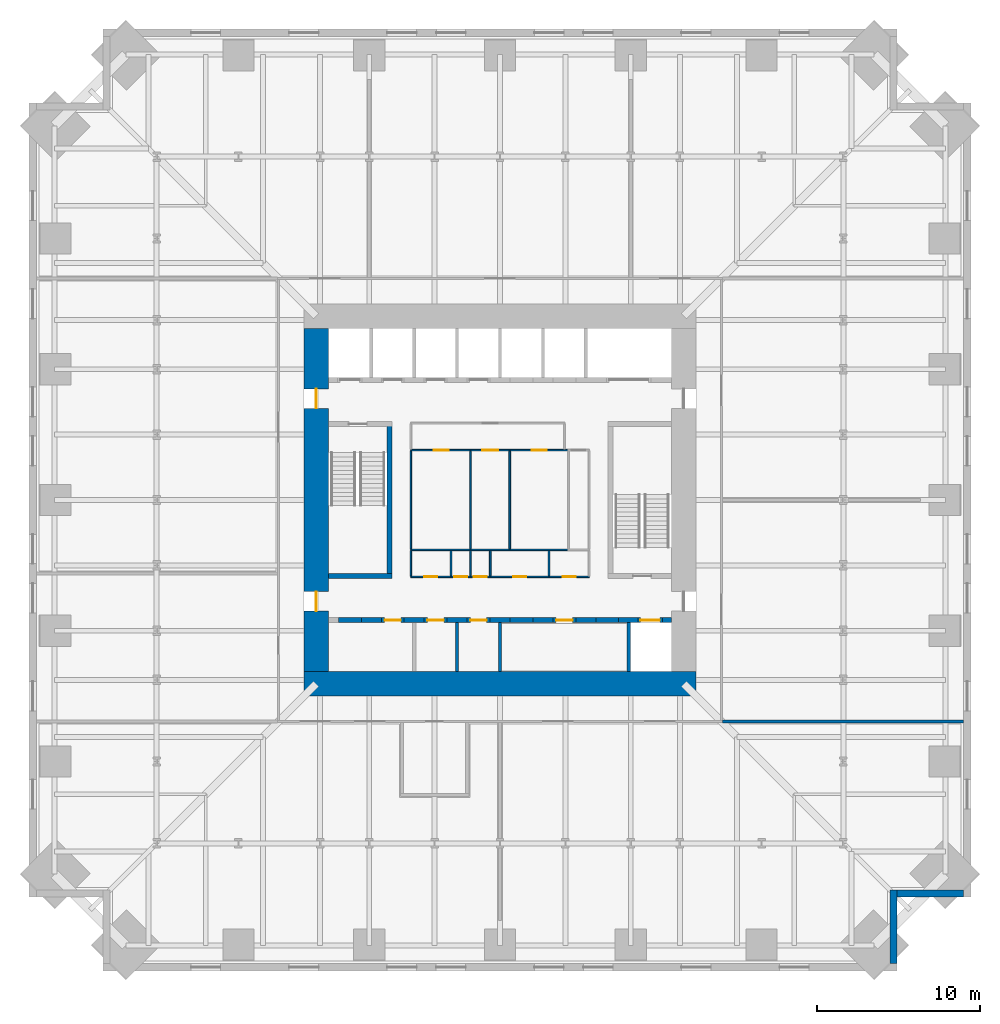
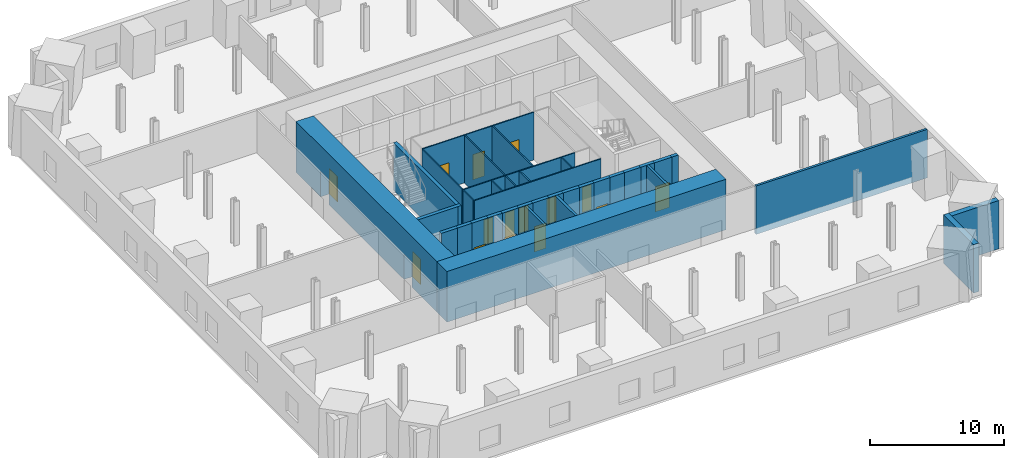
# One storey, part 4 of 8: 37 walls, 15 doors, 15 openings.
"""IFC4 building model written with IfcOpenShell, lengths in metres."""

from ifc_helpers import new_model, si_unit, direction, frame, frame_2d, origin, place, context, subcontext, project, spatial, rectangle, extrude, material, layer, layer_set, type_object, element, fill, save


model = new_model("IFC4")

# Units and contexts
model_context = context("Model", 3, precision=1e-05, world=origin(), true_north=direction((0.0, 1.0)))
body_context = subcontext(model_context, "Body", "Model", "MODEL_VIEW")
ifc_project = project(units=[si_unit("LENGTHUNIT", "METRE"), si_unit("AREAUNIT", "SQUARE_METRE"), si_unit("VOLUMEUNIT", "CUBIC_METRE"), si_unit("PLANEANGLEUNIT", "RADIAN"), si_unit("MASSUNIT", "GRAM", prefix="KILO")], contexts=[model_context])

# Site, building, storey
site_placement = place(None, origin())
site = spatial("IfcSite", under=ifc_project, at=site_placement, CompositionType="ELEMENT")
building_placement = place(site_placement, origin())
building = spatial("IfcBuilding", under=site, at=building_placement, Name="Peilmerk Tower", CompositionType="ELEMENT")
storey_placement = place(building_placement, frame((0.0, 0.0, 90.60009765625)))
storey = spatial("IfcBuildingStorey", under=building, at=storey_placement, Name="L17", CompositionType="ELEMENT", Elevation=90.60009765625)

# Walls
ifc_material_1 = material(Name="Precast concrete C45/55, board-marked finish", Category="concrete")
ifc_layer_1 = layer(ifc_material_1, 0.449951171875)
ifc_layer_set_1 = layer_set([ifc_layer_1], Name="Precast concrete C45/55, board-marked finish")
wall_type_1 = type_object("IfcWallType", Name="EW1 450 precast concrete facade wall, board-marked", PredefinedType="SOLIDWALL", material=ifc_layer_set_1)
wall_1_placement = place(storey_placement, frame((24.074951171875, -23.85009765625, 0.0), z_axis=(0.0, 0.0, 1.0), x_axis=(0.0, -1.0, 0.0)))
element("IfcWall", 1, at=wall_1_placement, inside=storey, type_object=wall_type_1, Name="Facade wall SEA L17", PredefinedType="SOLIDWALL", context=body_context, shape_type="SweptSolid", body=[
    extrude(rectangle(XDim=4.5, YDim=0.449951171875, at=frame_2d((2.25, 0.0))), origin(), (0.0, 0.0, 1.0), 4.39990234375),
])
wall_2_placement = place(storey_placement, frame((24.300048828125, -24.074951171875, 0.0), z_axis=(0.0, 0.0, 1.0), x_axis=(1.0, 0.0, 0.0)))
element("IfcWall", 2, at=wall_2_placement, inside=storey, type_object=wall_type_1, Name="Facade wall SEB L17", PredefinedType="SOLIDWALL", context=body_context, shape_type="SweptSolid", body=[
    extrude(rectangle(XDim=4.050048828125, YDim=0.449951171875, at=frame_2d((2.02490234375, 0.0))), origin(), (0.0, 0.0, 1.0), 4.39990234375),
])
ifc_material_2 = material(Name="Calcium silicate block", Category="masonry")
ifc_layer_2 = layer(ifc_material_2, 0.199951171875)
ifc_layer_set_2 = layer_set([ifc_layer_2], Name="Calcium silicate block")
wall_type_2 = type_object("IfcWallType", Name="IW2 200 room separating wall, EI 120", PredefinedType="PARTITIONING", material=ifc_layer_set_2)
wall_3_placement = place(storey_placement, frame((28.35009765625, -13.550048828125, 0.0), z_axis=(0.0, 0.0, 1.0), x_axis=(-1.0, 0.0, 0.0)))
element("IfcWall", 3, at=wall_3_placement, inside=storey, type_object=wall_type_2, Name="Room separating wall SE L17", PredefinedType="PARTITIONING", context=body_context, shape_type="SweptSolid", body=[
    extrude(rectangle(XDim=14.72509765625, YDim=0.199951171875, at=frame_2d((7.362548828125, 0.0))), origin(), (0.0, 0.0, 1.0), 4.39990234375),
])
ifc_material_3 = material(Name="Concrete C35/45", Category="concrete")
ifc_layer_3 = layer(ifc_material_3, 0.300048828125)
ifc_layer_set_3 = layer_set([ifc_layer_3], Name="Concrete C35/45")
wall_type_3 = type_object("IfcWallType", Name="IW3 300 concrete stair enclosure wall, EI 120", PredefinedType="SOLIDWALL", material=ifc_layer_set_3)
wall_4_placement = place(storey_placement, frame((-6.75, -4.800048828125, 0.0), z_axis=(0.0, 0.0, 1.0), x_axis=(0.0, 1.0, 0.0)))
element("IfcWall", 4, at=wall_4_placement, inside=storey, type_object=wall_type_3, Name="Stair 1 enclosure L17", PredefinedType="SOLIDWALL", context=body_context, shape_type="SweptSolid", body=[
    extrude(rectangle(XDim=9.60009765625, YDim=0.300048828125, at=frame_2d((4.800048828125, 0.0))), origin(), (0.0, 0.0, 1.0), 4.349853515625),
])
wall_5_placement = place(storey_placement, frame((-6.60009765625, -4.64990234375, 0.0), z_axis=(0.0, 0.0, 1.0), x_axis=(-1.0, 0.0, 0.0)))
element("IfcWall", 5, at=wall_5_placement, inside=storey, type_object=wall_type_3, Name="Stair 1 enclosure L17", PredefinedType="SOLIDWALL", context=body_context, shape_type="SweptSolid", body=[
    extrude(rectangle(XDim=3.89990234375, YDim=0.300048828125, at=frame_2d((1.949951171875, 0.0))), origin(), (0.0, 0.0, 1.0), 4.349853515625),
])

# Wall, openings, doors
ifc_material_4 = material(Name="Plasterboard on steel studs", Category="steel")
ifc_layer_4 = layer(ifc_material_4, 0.10009765625)
ifc_layer_set_4 = layer_set([ifc_layer_4], Name="Plasterboard on steel studs")
wall_type_4 = type_object("IfcWallType", Name="IW4 100 WC partition", PredefinedType="PARTITIONING", material=ifc_layer_set_4)
wall_6_placement = place(storey_placement, frame((-5.449951171875, 3.050048828125, 0.0), z_axis=(0.0, 0.0, 1.0), x_axis=(1.0, 0.0, 0.0)))
wall_6 = element("IfcWall", 6, at=wall_6_placement, inside=storey, type_object=wall_type_4, Name="WC wall L17", PredefinedType="PARTITIONING", context=body_context, shape_type="SweptSolid", body=[
    extrude(rectangle(XDim=9.599853515625, YDim=0.10009765625, at=frame_2d((4.7998046875, 0.0))), origin(), (0.0, 0.0, 1.0), 4.349853515625),
])
opening_1_placement = place(wall_6_placement, frame((1.39990234375, 0.0, 0.0)))
opening_1 = element("IfcOpeningElement", 7, at=opening_1_placement, cuts=wall_6, Name="Opening D5", PredefinedType="OPENING", context=body_context, shape_type="SweptSolid", body=[
    extrude(rectangle(XDim=0.89990234375, YDim=2.300048828125, at=frame_2d((0.449951171875, 1.14990234375))), frame((0.0, 0.06005859375, 0.0), z_axis=(0.0, -1.0, 0.0), x_axis=(1.0, 0.0, 0.0)), (0.0, 0.0, 1.0), 0.1201171875),
])
opening_2_placement = place(wall_6_placement, frame((4.35009765625, 0.0, 0.0)))
opening_2 = element("IfcOpeningElement", 8, at=opening_2_placement, cuts=wall_6, Name="Opening D6", PredefinedType="OPENING", context=body_context, shape_type="SweptSolid", body=[
    extrude(rectangle(XDim=1.0, YDim=2.300048828125, at=frame_2d((0.5, 1.14990234375))), frame((0.0, 0.06005859375, 0.0), z_axis=(0.0, -1.0, 0.0), x_axis=(1.0, 0.0, 0.0)), (0.0, 0.0, 1.0), 0.1201171875),
])
opening_3_placement = place(wall_6_placement, frame((7.39990234375, 0.0, 0.0)))
opening_3 = element("IfcOpeningElement", 9, at=opening_3_placement, cuts=wall_6, Name="Opening D5", PredefinedType="OPENING", context=body_context, shape_type="SweptSolid", body=[
    extrude(rectangle(XDim=0.89990234375, YDim=2.300048828125, at=frame_2d((0.449951171875, 1.14990234375))), frame((0.0, 0.06005859375, 0.0), z_axis=(0.0, -1.0, 0.0), x_axis=(1.0, 0.0, 0.0)), (0.0, 0.0, 1.0), 0.1201171875),
])
ifc_material_5 = material(Name="Timber door in steel frame", Category="steel")
door_type_1 = type_object("IfcDoorType", Name="D5 900x2300 WC door", OperationType="SINGLE_SWING_LEFT", PredefinedType="DOOR", material=ifc_material_5)
door_1_placement = place(opening_1_placement, frame((0.89990234375, 0.0, 0.0), z_axis=(0.0, 0.0, 1.0), x_axis=(-1.0, 0.0, 0.0)))
door_1 = element("IfcDoor", 10, at=door_1_placement, inside=storey, type_object=door_type_1, Name="Female toilets door L17", OperationType="SINGLE_SWING_LEFT", OverallHeight=2.300048828125, OverallWidth=0.89990234375, PredefinedType="DOOR", context=body_context, shape_type="SweptSolid", body=[
    extrude(rectangle(XDim=0.89990234375, YDim=2.300048828125, at=frame_2d((0.449951171875, 1.14990234375))), frame((0.0, 0.02490234375, 0.0), z_axis=(0.0, -1.0, 0.0), x_axis=(1.0, 0.0, 0.0)), (0.0, 0.0, 1.0), 0.050048828125),
])
fill(opening_1, door_1)
door_2_placement = place(opening_3_placement, frame((0.89990234375, 0.0, 0.0), z_axis=(0.0, 0.0, 1.0), x_axis=(-1.0, 0.0, 0.0)))
door_2 = element("IfcDoor", 11, at=door_2_placement, inside=storey, type_object=door_type_1, Name="Male toilets door L17", OperationType="SINGLE_SWING_LEFT", OverallHeight=2.300048828125, OverallWidth=0.89990234375, PredefinedType="DOOR", context=body_context, shape_type="SweptSolid", body=[
    extrude(rectangle(XDim=0.89990234375, YDim=2.300048828125, at=frame_2d((0.449951171875, 1.14990234375))), frame((0.0, 0.02490234375, 0.0), z_axis=(0.0, -1.0, 0.0), x_axis=(1.0, 0.0, 0.0)), (0.0, 0.0, 1.0), 0.050048828125),
])
fill(opening_3, door_2)
door_type_2 = type_object("IfcDoorType", Name="D6 1000x2300 accessible WC door", OperationType="SLIDING_TO_LEFT", PredefinedType="DOOR", material=ifc_material_5)
door_3_placement = place(opening_2_placement, frame((1.0, 0.0, 0.0), z_axis=(0.0, 0.0, 1.0), x_axis=(-1.0, 0.0, 0.0)))
door_3 = element("IfcDoor", 12, at=door_3_placement, inside=storey, type_object=door_type_2, Name="Accessible WC door L17", OperationType="SLIDING_TO_LEFT", OverallHeight=2.300048828125, OverallWidth=1.0, PredefinedType="DOOR", context=body_context, shape_type="SweptSolid", body=[
    extrude(rectangle(XDim=1.0, YDim=2.300048828125, at=frame_2d((0.5, 1.14990234375))), frame((0.0, 0.02490234375, 0.0), z_axis=(0.0, -1.0, 0.0), x_axis=(1.0, 0.0, 0.0)), (0.0, 0.0, 1.0), 0.050048828125),
])
fill(opening_2, door_3)

# Walls
wall_7_placement = place(storey_placement, frame((4.14990234375, -3.050048828125, 0.0), z_axis=(0.0, 0.0, 1.0), x_axis=(-1.0, 0.0, 0.0)))
element("IfcWall", 13, at=wall_7_placement, inside=storey, type_object=wall_type_4, Name="WC wall L17", PredefinedType="PARTITIONING", context=body_context, shape_type="SweptSolid", body=[
    extrude(rectangle(XDim=9.599853515625, YDim=0.10009765625, at=frame_2d((4.7998046875, 0.0))), origin(), (0.0, 0.0, 1.0), 4.349853515625),
])
for number, where, z_axis, x_axis, name in (
    (14, (-5.449951171875, -3.0, 0.0), (0.0, 0.0, 1.0), (0.0, 1.0, 0.0), "WC wall L17"),
    (15, (-1.800048828125, -3.0, 0.0), (0.0, 0.0, 1.0), (0.0, 1.0, 0.0), "WC wall L17"),
    (16, (0.60009765625, -3.0, 0.0), (0.0, 0.0, 1.0), (0.0, 1.0, 0.0), "WC wall L17"),
):
    element("IfcWall", number, at=place(storey_placement, frame(where, z_axis=z_axis, x_axis=x_axis)), inside=storey, type_object=wall_type_4, Name=name, PredefinedType="PARTITIONING", context=body_context, shape_type="SweptSolid", body=[
        extrude(rectangle(XDim=6.0, YDim=0.10009765625, at=frame_2d((3.0, 0.0))), origin(), (0.0, 0.0, 1.0), 4.349853515625),
    ])

# Wall, openings, doors
ifc_material_6 = material(Name="Calcium silicate board on steel studs", Category="steel")
ifc_layer_5 = layer(ifc_material_6, 0.10009765625)
ifc_layer_set_5 = layer_set([ifc_layer_5], Name="Calcium silicate board on steel studs")
wall_type_5 = type_object("IfcWallType", Name="IW5 100 riser enclosure wall, EI 60", PredefinedType="PARTITIONING", material=ifc_layer_set_5)
wall_8_placement = place(storey_placement, frame((5.449951171875, -4.699951171875, 0.0), z_axis=(0.0, 0.0, 1.0), x_axis=(-1.0, 0.0, 0.0)))
wall_8 = element("IfcWall", 17, at=wall_8_placement, inside=storey, type_object=wall_type_5, Name="Riser wall L17", PredefinedType="PARTITIONING", context=body_context, shape_type="SweptSolid", body=[
    extrude(rectangle(XDim=10.89990234375, YDim=0.10009765625, at=frame_2d((5.449951171875, 0.0))), origin(), (0.0, 0.0, 1.0), 4.349853515625),
])
opening_4_placement = place(wall_8_placement, frame((9.27490234375, 0.0, 0.0)))
opening_4 = element("IfcOpeningElement", 18, at=opening_4_placement, cuts=wall_8, Name="Opening D7", PredefinedType="OPENING", context=body_context, shape_type="SweptSolid", body=[
    extrude(rectangle(XDim=0.800048828125, YDim=2.300048828125, at=frame_2d((0.39990234375, 1.14990234375))), frame((0.0, 0.06005859375, 0.0), z_axis=(0.0, -1.0, 0.0), x_axis=(1.0, 0.0, 0.0)), (0.0, 0.0, 1.0), 0.1201171875),
])
opening_5_placement = place(wall_8_placement, frame((7.449951171875, 0.0, 0.0)))
opening_5 = element("IfcOpeningElement", 19, at=opening_5_placement, cuts=wall_8, Name="Opening D7", PredefinedType="OPENING", context=body_context, shape_type="SweptSolid", body=[
    extrude(rectangle(XDim=0.800048828125, YDim=2.300048828125, at=frame_2d((0.39990234375, 1.14990234375))), frame((0.0, 0.06005859375, 0.0), z_axis=(0.0, -1.0, 0.0), x_axis=(1.0, 0.0, 0.0)), (0.0, 0.0, 1.0), 0.1201171875),
])
opening_6_placement = place(wall_8_placement, frame((6.25, 0.0, 0.0)))
opening_6 = element("IfcOpeningElement", 20, at=opening_6_placement, cuts=wall_8, Name="Opening D7", PredefinedType="OPENING", context=body_context, shape_type="SweptSolid", body=[
    extrude(rectangle(XDim=0.800048828125, YDim=2.300048828125, at=frame_2d((0.39990234375, 1.14990234375))), frame((0.0, 0.06005859375, 0.0), z_axis=(0.0, -1.0, 0.0), x_axis=(1.0, 0.0, 0.0)), (0.0, 0.0, 1.0), 0.1201171875),
])
opening_7_placement = place(wall_8_placement, frame((3.85009765625, 0.0, 0.0)))
opening_7 = element("IfcOpeningElement", 21, at=opening_7_placement, cuts=wall_8, Name="Opening D7", PredefinedType="OPENING", context=body_context, shape_type="SweptSolid", body=[
    extrude(rectangle(XDim=0.800048828125, YDim=2.300048828125, at=frame_2d((0.39990234375, 1.14990234375))), frame((0.0, 0.06005859375, 0.0), z_axis=(0.0, -1.0, 0.0), x_axis=(1.0, 0.0, 0.0)), (0.0, 0.0, 1.0), 0.1201171875),
])
opening_8_placement = place(wall_8_placement, frame((0.824951171875, 0.0, 0.0)))
opening_8 = element("IfcOpeningElement", 22, at=opening_8_placement, cuts=wall_8, Name="Opening D7", PredefinedType="OPENING", context=body_context, shape_type="SweptSolid", body=[
    extrude(rectangle(XDim=0.800048828125, YDim=2.300048828125, at=frame_2d((0.39990234375, 1.14990234375))), frame((0.0, 0.06005859375, 0.0), z_axis=(0.0, -1.0, 0.0), x_axis=(1.0, 0.0, 0.0)), (0.0, 0.0, 1.0), 0.1201171875),
])
ifc_material_7 = material(Name="Steel door in steel frame", Category="steel")
door_type_3 = type_object("IfcDoorType", Name="D7 800x2300 riser access door, EI2 60", OperationType="SINGLE_SWING_RIGHT", PredefinedType="DOOR", material=ifc_material_7)
door_4_placement = place(opening_4_placement, frame((0.800048828125, 0.0, 0.0), z_axis=(0.0, 0.0, 1.0), x_axis=(-1.0, 0.0, 0.0)))
door_4 = element("IfcDoor", 23, at=door_4_placement, inside=storey, type_object=door_type_3, Name="Cleaner's cupboard door L17", OperationType="SINGLE_SWING_RIGHT", OverallHeight=2.300048828125, OverallWidth=0.800048828125, PredefinedType="DOOR", context=body_context, shape_type="SweptSolid", body=[
    extrude(rectangle(XDim=0.800048828125, YDim=2.300048828125, at=frame_2d((0.39990234375, 1.14990234375))), frame((0.0, 0.02490234375, 0.0), z_axis=(0.0, -1.0, 0.0), x_axis=(1.0, 0.0, 0.0)), (0.0, 0.0, 1.0), 0.050048828125),
])
fill(opening_4, door_4)
door_5_placement = place(opening_5_placement, frame((0.800048828125, 0.0, 0.0), z_axis=(0.0, 0.0, 1.0), x_axis=(-1.0, 0.0, 0.0)))
door_5 = element("IfcDoor", 24, at=door_5_placement, inside=storey, type_object=door_type_3, Name="Electrical riser door L17", OperationType="SINGLE_SWING_RIGHT", OverallHeight=2.300048828125, OverallWidth=0.800048828125, PredefinedType="DOOR", context=body_context, shape_type="SweptSolid", body=[
    extrude(rectangle(XDim=0.800048828125, YDim=2.300048828125, at=frame_2d((0.39990234375, 1.14990234375))), frame((0.0, 0.02490234375, 0.0), z_axis=(0.0, -1.0, 0.0), x_axis=(1.0, 0.0, 0.0)), (0.0, 0.0, 1.0), 0.050048828125),
])
fill(opening_5, door_5)
door_6_placement = place(opening_6_placement, frame((0.800048828125, 0.0, 0.0), z_axis=(0.0, 0.0, 1.0), x_axis=(-1.0, 0.0, 0.0)))
door_6 = element("IfcDoor", 25, at=door_6_placement, inside=storey, type_object=door_type_3, Name="Data riser door L17", OperationType="SINGLE_SWING_RIGHT", OverallHeight=2.300048828125, OverallWidth=0.800048828125, PredefinedType="DOOR", context=body_context, shape_type="SweptSolid", body=[
    extrude(rectangle(XDim=0.800048828125, YDim=2.300048828125, at=frame_2d((0.39990234375, 1.14990234375))), frame((0.0, 0.02490234375, 0.0), z_axis=(0.0, -1.0, 0.0), x_axis=(1.0, 0.0, 0.0)), (0.0, 0.0, 1.0), 0.050048828125),
])
fill(opening_6, door_6)
door_7_placement = place(opening_7_placement, frame((0.800048828125, 0.0, 0.0), z_axis=(0.0, 0.0, 1.0), x_axis=(-1.0, 0.0, 0.0)))
door_7 = element("IfcDoor", 26, at=door_7_placement, inside=storey, type_object=door_type_3, Name="Comms room door L17", OperationType="SINGLE_SWING_RIGHT", OverallHeight=2.300048828125, OverallWidth=0.800048828125, PredefinedType="DOOR", context=body_context, shape_type="SweptSolid", body=[
    extrude(rectangle(XDim=0.800048828125, YDim=2.300048828125, at=frame_2d((0.39990234375, 1.14990234375))), frame((0.0, 0.02490234375, 0.0), z_axis=(0.0, -1.0, 0.0), x_axis=(1.0, 0.0, 0.0)), (0.0, 0.0, 1.0), 0.050048828125),
])
fill(opening_7, door_7)
door_8_placement = place(opening_8_placement, frame((0.800048828125, 0.0, 0.0), z_axis=(0.0, 0.0, 1.0), x_axis=(-1.0, 0.0, 0.0)))
door_8 = element("IfcDoor", 27, at=door_8_placement, inside=storey, type_object=door_type_3, Name="Water meter room door L17", OperationType="SINGLE_SWING_RIGHT", OverallHeight=2.300048828125, OverallWidth=0.800048828125, PredefinedType="DOOR", context=body_context, shape_type="SweptSolid", body=[
    extrude(rectangle(XDim=0.800048828125, YDim=2.300048828125, at=frame_2d((0.39990234375, 1.14990234375))), frame((0.0, 0.02490234375, 0.0), z_axis=(0.0, -1.0, 0.0), x_axis=(1.0, 0.0, 0.0)), (0.0, 0.0, 1.0), 0.050048828125),
])
fill(opening_8, door_8)

# Walls
for number, where, z_axis, x_axis, name in (
    (28, (-5.449951171875, -3.10009765625, 0.0), (0.0, 0.0, 1.0), (0.0, -1.0, 0.0), "Riser wall L17"),
    (29, (-3.0, -3.10009765625, 0.0), (0.0, 0.0, 1.0), (0.0, -1.0, 0.0), "Riser wall L17"),
    (30, (-1.800048828125, -3.10009765625, 0.0), (0.0, 0.0, 1.0), (0.0, -1.0, 0.0), "Riser wall L17"),
    (31, (-0.60009765625, -3.10009765625, 0.0), (0.0, 0.0, 1.0), (0.0, -1.0, 0.0), "Riser wall L17"),
    (32, (3.0, -3.10009765625, 0.0), (0.0, 0.0, 1.0), (0.0, -1.0, 0.0), "Riser wall L17"),
):
    element("IfcWall", number, at=place(storey_placement, frame(where, z_axis=z_axis, x_axis=x_axis)), inside=storey, type_object=wall_type_5, Name=name, PredefinedType="PARTITIONING", context=body_context, shape_type="SweptSolid", body=[
        extrude(rectangle(XDim=1.5498046875, YDim=0.10009765625, at=frame_2d((0.77490234375, 0.0))), origin(), (0.0, 0.0, 1.0), 4.349853515625),
    ])
ifc_layer_6 = layer(ifc_material_2, 0.199951171875)
ifc_layer_set_6 = layer_set([ifc_layer_6], Name="Calcium silicate block")
wall_type_6 = type_object("IfcWallType", Name="SH1 200 shaft dividing wall, EI 120", PredefinedType="PARTITIONING", material=ifc_layer_set_6)
for number, where, z_axis, x_axis, name in (
    (33, (-2.625, -10.5, 0.0), (0.0, 0.0, 1.0), (0.0, 1.0, 0.0), "Shaft wall S C2 L17"),
    (34, (0.0, -10.5, 0.0), (0.0, 0.0, 1.0), (0.0, 1.0, 0.0), "Shaft wall S C1 L17"),
    (35, (7.875, -10.5, 0.0), (0.0, 0.0, 1.0), (0.0, 1.0, 0.0), "Shaft wall S B1 L17"),
):
    element("IfcWall", number, at=place(storey_placement, frame(where, z_axis=z_axis, x_axis=x_axis)), inside=storey, type_object=wall_type_6, Name=name, PredefinedType="PARTITIONING", context=body_context, shape_type="SweptSolid", body=[
        extrude(rectangle(XDim=3.0, YDim=0.199951171875, at=frame_2d((1.5, 0.0))), origin(), (0.0, 0.0, 1.0), 4.599853515625),
    ])
ifc_layer_7 = layer(ifc_material_2, 0.300048828125)
ifc_layer_set_7 = layer_set([ifc_layer_7], Name="Calcium silicate block")
wall_type_7 = type_object("IfcWallType", Name="SH2 300 lift landing door panel, EI 120", PredefinedType="PARTITIONING", material=ifc_layer_set_7)
wall_9_placement = place(storey_placement, frame((-9.887451171875, -7.35009765625, 0.0), z_axis=(0.0, 0.0, 1.0), x_axis=(1.0, 0.0, 0.0)))
element("IfcWall", 36, at=wall_9_placement, inside=storey, type_object=wall_type_7, Name="Lift door panel S C4 L17", PredefinedType="PARTITIONING", context=body_context, shape_type="SweptSolid", body=[
    extrude(rectangle(XDim=1.39990234375, YDim=0.300048828125, at=frame_2d((0.699951171875, 0.0))), origin(), (0.0, 0.0, 1.0), 4.599853515625),
])

# Wall, opening, door
wall_10_placement = place(storey_placement, frame((-7.262451171875, -7.35009765625, 0.0), z_axis=(0.0, 0.0, 1.0), x_axis=(1.0, 0.0, 0.0)))
wall_10 = element("IfcWall", 37, at=wall_10_placement, inside=storey, type_object=wall_type_7, Name="Lift door panel S C3 L17", PredefinedType="PARTITIONING", context=body_context, shape_type="SweptSolid", body=[
    extrude(rectangle(XDim=1.39990234375, YDim=0.300048828125, at=frame_2d((0.699951171875, 0.0))), origin(), (0.0, 0.0, 1.0), 4.599853515625),
])
opening_9_placement = place(wall_10_placement, frame((0.199951171875, 0.0, 0.0)))
opening_9 = element("IfcOpeningElement", 38, at=opening_9_placement, cuts=wall_10, Name="Opening D10", PredefinedType="OPENING", context=body_context, shape_type="SweptSolid", body=[
    extrude(rectangle(XDim=1.0, YDim=2.300048828125, at=frame_2d((0.5, 1.14990234375))), frame((0.0, 0.159912109375, 0.0), z_axis=(0.0, -1.0, 0.0), x_axis=(1.0, 0.0, 0.0)), (0.0, 0.0, 1.0), 0.320068359375),
])
door_type_4 = type_object("IfcDoorType", Name="D10 1000x2300 core room door, EI2 60", OperationType="SINGLE_SWING_RIGHT", PredefinedType="DOOR", material=ifc_material_7)
door_9_placement = place(opening_9_placement, frame((1.0, 0.0, 0.0), z_axis=(0.0, 0.0, 1.0), x_axis=(-1.0, 0.0, 0.0)))
door_9 = element("IfcDoor", 39, at=door_9_placement, inside=storey, type_object=door_type_4, Name="Door Waste room L17", OperationType="SINGLE_SWING_RIGHT", OverallHeight=2.300048828125, OverallWidth=1.0, PredefinedType="DOOR", context=body_context, shape_type="SweptSolid", body=[
    extrude(rectangle(XDim=1.0, YDim=2.300048828125, at=frame_2d((0.5, 1.14990234375))), frame((0.0, 0.02490234375, 0.0), z_axis=(0.0, -1.0, 0.0), x_axis=(1.0, 0.0, 0.0)), (0.0, 0.0, 1.0), 0.050048828125),
])
fill(opening_9, door_9)

wall_11_placement = place(storey_placement, frame((-4.637451171875, -7.35009765625, 0.0), z_axis=(0.0, 0.0, 1.0), x_axis=(1.0, 0.0, 0.0)))
wall_11 = element("IfcWall", 40, at=wall_11_placement, inside=storey, type_object=wall_type_7, Name="Lift door panel S C2 L17", PredefinedType="PARTITIONING", context=body_context, shape_type="SweptSolid", body=[
    extrude(rectangle(XDim=1.39990234375, YDim=0.300048828125, at=frame_2d((0.699951171875, 0.0))), origin(), (0.0, 0.0, 1.0), 4.599853515625),
])
opening_10_placement = place(wall_11_placement, frame((0.199951171875, 0.0, 0.0)))
opening_10 = element("IfcOpeningElement", 41, at=opening_10_placement, cuts=wall_11, Name="Opening D10", PredefinedType="OPENING", context=body_context, shape_type="SweptSolid", body=[
    extrude(rectangle(XDim=1.0, YDim=2.300048828125, at=frame_2d((0.5, 1.14990234375))), frame((0.0, 0.159912109375, 0.0), z_axis=(0.0, -1.0, 0.0), x_axis=(1.0, 0.0, 0.0)), (0.0, 0.0, 1.0), 0.320068359375),
])
door_10_placement = place(opening_10_placement, frame((1.0, 0.0, 0.0), z_axis=(0.0, 0.0, 1.0), x_axis=(-1.0, 0.0, 0.0)))
door_10 = element("IfcDoor", 42, at=door_10_placement, inside=storey, type_object=door_type_4, Name="Door Electrical room L17", OperationType="SINGLE_SWING_RIGHT", OverallHeight=2.300048828125, OverallWidth=1.0, PredefinedType="DOOR", context=body_context, shape_type="SweptSolid", body=[
    extrude(rectangle(XDim=1.0, YDim=2.300048828125, at=frame_2d((0.5, 1.14990234375))), frame((0.0, 0.02490234375, 0.0), z_axis=(0.0, -1.0, 0.0), x_axis=(1.0, 0.0, 0.0)), (0.0, 0.0, 1.0), 0.050048828125),
])
fill(opening_10, door_10)

wall_12_placement = place(storey_placement, frame((-2.012451171875, -7.35009765625, 0.0), z_axis=(0.0, 0.0, 1.0), x_axis=(1.0, 0.0, 0.0)))
wall_12 = element("IfcWall", 43, at=wall_12_placement, inside=storey, type_object=wall_type_7, Name="Lift door panel S C1 L17", PredefinedType="PARTITIONING", context=body_context, shape_type="SweptSolid", body=[
    extrude(rectangle(XDim=1.39990234375, YDim=0.300048828125, at=frame_2d((0.699951171875, 0.0))), origin(), (0.0, 0.0, 1.0), 4.599853515625),
])
opening_11_placement = place(wall_12_placement, frame((0.199951171875, 0.0, 0.0)))
opening_11 = element("IfcOpeningElement", 44, at=opening_11_placement, cuts=wall_12, Name="Opening D10", PredefinedType="OPENING", context=body_context, shape_type="SweptSolid", body=[
    extrude(rectangle(XDim=1.0, YDim=2.300048828125, at=frame_2d((0.5, 1.14990234375))), frame((0.0, 0.159912109375, 0.0), z_axis=(0.0, -1.0, 0.0), x_axis=(1.0, 0.0, 0.0)), (0.0, 0.0, 1.0), 0.320068359375),
])
door_11_placement = place(opening_11_placement, frame((1.0, 0.0, 0.0), z_axis=(0.0, 0.0, 1.0), x_axis=(-1.0, 0.0, 0.0)))
door_11 = element("IfcDoor", 45, at=door_11_placement, inside=storey, type_object=door_type_4, Name="Door Staff WC L17", OperationType="SINGLE_SWING_RIGHT", OverallHeight=2.300048828125, OverallWidth=1.0, PredefinedType="DOOR", context=body_context, shape_type="SweptSolid", body=[
    extrude(rectangle(XDim=1.0, YDim=2.300048828125, at=frame_2d((0.5, 1.14990234375))), frame((0.0, 0.02490234375, 0.0), z_axis=(0.0, -1.0, 0.0), x_axis=(1.0, 0.0, 0.0)), (0.0, 0.0, 1.0), 0.050048828125),
])
fill(opening_11, door_11)

# Wall
wall_13_placement = place(storey_placement, frame((0.612548828125, -7.35009765625, 0.0), z_axis=(0.0, 0.0, 1.0), x_axis=(1.0, 0.0, 0.0)))
element("IfcWall", 46, at=wall_13_placement, inside=storey, type_object=wall_type_7, Name="Lift door panel S B3 L17", PredefinedType="PARTITIONING", context=body_context, shape_type="SweptSolid", body=[
    extrude(rectangle(XDim=1.39990234375, YDim=0.300048828125, at=frame_2d((0.699951171875, 0.0))), origin(), (0.0, 0.0, 1.0), 4.599853515625),
])

# Wall, opening, door
wall_14_placement = place(storey_placement, frame((3.237548828125, -7.35009765625, 0.0), z_axis=(0.0, 0.0, 1.0), x_axis=(1.0, 0.0, 0.0)))
wall_14 = element("IfcWall", 47, at=wall_14_placement, inside=storey, type_object=wall_type_7, Name="Lift door panel S B2 L17", PredefinedType="PARTITIONING", context=body_context, shape_type="SweptSolid", body=[
    extrude(rectangle(XDim=1.39990234375, YDim=0.300048828125, at=frame_2d((0.699951171875, 0.0))), origin(), (0.0, 0.0, 1.0), 4.599853515625),
])
opening_12_placement = place(wall_14_placement, frame((0.199951171875, 0.0, 0.0)))
opening_12 = element("IfcOpeningElement", 48, at=opening_12_placement, cuts=wall_14, Name="Opening D10", PredefinedType="OPENING", context=body_context, shape_type="SweptSolid", body=[
    extrude(rectangle(XDim=1.0, YDim=2.300048828125, at=frame_2d((0.5, 1.14990234375))), frame((0.0, 0.159912109375, 0.0), z_axis=(0.0, -1.0, 0.0), x_axis=(1.0, 0.0, 0.0)), (0.0, 0.0, 1.0), 0.320068359375),
])
door_12_placement = place(opening_12_placement, frame((1.0, 0.0, 0.0), z_axis=(0.0, 0.0, 1.0), x_axis=(-1.0, 0.0, 0.0)))
door_12 = element("IfcDoor", 49, at=door_12_placement, inside=storey, type_object=door_type_4, Name="Door Back-of-house office L17", OperationType="SINGLE_SWING_RIGHT", OverallHeight=2.300048828125, OverallWidth=1.0, PredefinedType="DOOR", context=body_context, shape_type="SweptSolid", body=[
    extrude(rectangle(XDim=1.0, YDim=2.300048828125, at=frame_2d((0.5, 1.14990234375))), frame((0.0, 0.02490234375, 0.0), z_axis=(0.0, -1.0, 0.0), x_axis=(1.0, 0.0, 0.0)), (0.0, 0.0, 1.0), 0.050048828125),
])
fill(opening_12, door_12)

# Wall
wall_15_placement = place(storey_placement, frame((5.862548828125, -7.35009765625, 0.0), z_axis=(0.0, 0.0, 1.0), x_axis=(1.0, 0.0, 0.0)))
element("IfcWall", 50, at=wall_15_placement, inside=storey, type_object=wall_type_7, Name="Lift door panel S B1 L17", PredefinedType="PARTITIONING", context=body_context, shape_type="SweptSolid", body=[
    extrude(rectangle(XDim=1.39990234375, YDim=0.300048828125, at=frame_2d((0.699951171875, 0.0))), origin(), (0.0, 0.0, 1.0), 4.599853515625),
])

# Wall, opening, door
wall_16_placement = place(storey_placement, frame((8.4375, -7.35009765625, 0.0), z_axis=(0.0, 0.0, 1.0), x_axis=(1.0, 0.0, 0.0)))
wall_16 = element("IfcWall", 51, at=wall_16_placement, inside=storey, type_object=wall_type_7, Name="Lift door panel S FL2 L17", PredefinedType="PARTITIONING", context=body_context, shape_type="SweptSolid", body=[
    extrude(rectangle(XDim=1.5, YDim=0.300048828125, at=frame_2d((0.75, 0.0))), origin(), (0.0, 0.0, 1.0), 4.599853515625),
])
opening_13_placement = place(wall_16_placement, frame((0.14990234375, 0.0, 0.0)))
opening_13 = element("IfcOpeningElement", 52, at=opening_13_placement, cuts=wall_16, Name="Opening LD2", PredefinedType="OPENING", context=body_context, shape_type="SweptSolid", body=[
    extrude(rectangle(XDim=1.199951171875, YDim=2.300048828125, at=frame_2d((0.60009765625, 1.14990234375))), frame((0.0, 0.159912109375, 0.0), z_axis=(0.0, -1.0, 0.0), x_axis=(1.0, 0.0, 0.0)), (0.0, 0.0, 1.0), 0.320068359375),
])
ifc_material_8 = material(Name="Stainless steel landing door", Category="steel")
door_type_5 = type_object("IfcDoorType", Name="LD2 1200x2300 lift landing door, sliding, EI2 60", OperationType="SLIDING_TO_LEFT", PredefinedType="DOOR", material=ifc_material_8)
door_13_placement = place(opening_13_placement, origin())
door_13 = element("IfcDoor", 53, at=door_13_placement, inside=storey, type_object=door_type_5, Name="Lift landing door FL2 L17", OperationType="SLIDING_TO_LEFT", OverallHeight=2.300048828125, OverallWidth=1.199951171875, PredefinedType="DOOR", context=body_context, shape_type="SweptSolid", body=[
    extrude(rectangle(XDim=1.199951171875, YDim=2.300048828125, at=frame_2d((0.60009765625, 1.14990234375))), frame((0.0, 0.02490234375, 0.0), z_axis=(0.0, -1.0, 0.0), x_axis=(1.0, 0.0, 0.0)), (0.0, 0.0, 1.0), 0.050048828125),
])
fill(opening_13, door_13)

# Wall
ifc_material_9 = material(Name="Concrete C55/67", Category="concrete")
ifc_layer_8 = layer(ifc_material_9, 1.5)
ifc_layer_set_8 = layer_set([ifc_layer_8], Name="Concrete C55/67")
wall_type_8 = type_object("IfcWallType", Name="SW1 1500 core wall", PredefinedType="SHEAR", material=ifc_layer_set_8)
wall_17_placement = place(storey_placement, frame((12.0, -11.25, 0.0), z_axis=(0.0, 0.0, 1.0), x_axis=(-1.0, 0.0, 0.0)))
element("IfcWall", 54, at=wall_17_placement, inside=storey, type_object=wall_type_8, Name="Core wall S L17", PredefinedType="SHEAR", context=body_context, shape_type="SweptSolid", body=[
    extrude(rectangle(XDim=24.0, YDim=1.5, at=frame_2d((12.0, 0.0))), origin(), (0.0, 0.0, 1.0), 4.599853515625),
])

# Wall, openings, doors
wall_18_placement = place(storey_placement, frame((-11.25, -10.5, 0.0), z_axis=(0.0, 0.0, 1.0), x_axis=(0.0, 1.0, 0.0)))
wall_18 = element("IfcWall", 55, at=wall_18_placement, inside=storey, type_object=wall_type_8, Name="Core wall W L17", PredefinedType="SHEAR", context=body_context, shape_type="SweptSolid", body=[
    extrude(rectangle(XDim=21.0, YDim=1.5, at=frame_2d((10.5, 0.0))), origin(), (0.0, 0.0, 1.0), 4.599853515625),
])
opening_14_placement = place(wall_18_placement, frame((16.10009765625, 0.0, 0.0)))
opening_14 = element("IfcOpeningElement", 56, at=opening_14_placement, cuts=wall_18, Name="Opening D3", PredefinedType="OPENING", context=body_context, shape_type="SweptSolid", body=[
    extrude(rectangle(XDim=1.199951171875, YDim=2.300048828125, at=frame_2d((0.60009765625, 1.14990234375))), frame((0.0, 0.760009765625, 0.0), z_axis=(0.0, -1.0, 0.0), x_axis=(1.0, 0.0, 0.0)), (0.0, 0.0, 1.0), 1.52001953125),
])
opening_15_placement = place(wall_18_placement, frame((3.699951171875, 0.0, 0.0)))
opening_15 = element("IfcOpeningElement", 57, at=opening_15_placement, cuts=wall_18, Name="Opening D3", PredefinedType="OPENING", context=body_context, shape_type="SweptSolid", body=[
    extrude(rectangle(XDim=1.199951171875, YDim=2.300048828125, at=frame_2d((0.60009765625, 1.14990234375))), frame((0.0, 0.760009765625, 0.0), z_axis=(0.0, -1.0, 0.0), x_axis=(1.0, 0.0, 0.0)), (0.0, 0.0, 1.0), 1.52001953125),
])
door_type_6 = type_object("IfcDoorType", Name="D3 1200x2300 core door, EI2 60", OperationType="SINGLE_SWING_LEFT", PredefinedType="DOOR", material=ifc_material_7)
door_14_placement = place(opening_14_placement, frame((1.199951171875, 0.0, 0.0), z_axis=(0.0, 0.0, 1.0), x_axis=(-1.0, 0.0, 0.0)))
door_14 = element("IfcDoor", 58, at=door_14_placement, inside=storey, type_object=door_type_6, Name="Core door L17", OperationType="SINGLE_SWING_LEFT", OverallHeight=2.300048828125, OverallWidth=1.199951171875, PredefinedType="DOOR", context=body_context, shape_type="SweptSolid", body=[
    extrude(rectangle(XDim=1.199951171875, YDim=2.300048828125, at=frame_2d((0.60009765625, 1.14990234375))), frame((0.0, 0.02490234375, 0.0), z_axis=(0.0, -1.0, 0.0), x_axis=(1.0, 0.0, 0.0)), (0.0, 0.0, 1.0), 0.050048828125),
])
fill(opening_14, door_14)
door_15_placement = place(opening_15_placement, frame((1.199951171875, 0.0, 0.0), z_axis=(0.0, 0.0, 1.0), x_axis=(-1.0, 0.0, 0.0)))
door_15 = element("IfcDoor", 59, at=door_15_placement, inside=storey, type_object=door_type_6, Name="Core door L17", OperationType="SINGLE_SWING_LEFT", OverallHeight=2.300048828125, OverallWidth=1.199951171875, PredefinedType="DOOR", context=body_context, shape_type="SweptSolid", body=[
    extrude(rectangle(XDim=1.199951171875, YDim=2.300048828125, at=frame_2d((0.60009765625, 1.14990234375))), frame((0.0, 0.02490234375, 0.0), z_axis=(0.0, -1.0, 0.0), x_axis=(1.0, 0.0, 0.0)), (0.0, 0.0, 1.0), 0.050048828125),
])
fill(opening_15, door_15)

# Walls
ifc_layer_9 = layer(ifc_material_9, 0.300048828125)
ifc_layer_set_9 = layer_set([ifc_layer_9], Name="Concrete C55/67")
wall_type_9 = type_object("IfcWallType", Name="SW2 300 lift bank pier", PredefinedType="SHEAR", material=ifc_layer_set_9)
for number, where, z_axis, x_axis, name in (
    (60, (-8.487548828125, -7.35009765625, 0.0), (0.0, 0.0, 1.0), (1.0, 0.0, 0.0), "Lift bank pier S L17"),
    (61, (-5.862548828125, -7.35009765625, 0.0), (0.0, 0.0, 1.0), (1.0, 0.0, 0.0), "Lift bank pier S L17"),
    (62, (-3.237548828125, -7.35009765625, 0.0), (0.0, 0.0, 1.0), (1.0, 0.0, 0.0), "Lift bank pier S L17"),
    (63, (-0.612548828125, -7.35009765625, 0.0), (0.0, 0.0, 1.0), (1.0, 0.0, 0.0), "Lift bank pier S L17"),
    (64, (2.012451171875, -7.35009765625, 0.0), (0.0, 0.0, 1.0), (1.0, 0.0, 0.0), "Lift bank pier S L17"),
    (65, (4.637451171875, -7.35009765625, 0.0), (0.0, 0.0, 1.0), (1.0, 0.0, 0.0), "Lift bank pier S L17"),
):
    element("IfcWall", number, at=place(storey_placement, frame(where, z_axis=z_axis, x_axis=x_axis)), inside=storey, type_object=wall_type_9, Name=name, PredefinedType="SHEAR", context=body_context, shape_type="SweptSolid", body=[
        extrude(rectangle(XDim=1.22509765625, YDim=0.300048828125, at=frame_2d((0.612548828125, 0.0))), origin(), (0.0, 0.0, 1.0), 4.599853515625),
    ])
wall_19_placement = place(storey_placement, frame((7.262451171875, -7.35009765625, 0.0), z_axis=(0.0, 0.0, 1.0), x_axis=(1.0, 0.0, 0.0)))
element("IfcWall", 66, at=wall_19_placement, inside=storey, type_object=wall_type_9, Name="Lift bank pier S L17", PredefinedType="SHEAR", context=body_context, shape_type="SweptSolid", body=[
    extrude(rectangle(XDim=1.175048828125, YDim=0.300048828125, at=frame_2d((0.58740234375, 0.0))), origin(), (0.0, 0.0, 1.0), 4.599853515625),
])
wall_20_placement = place(storey_placement, frame((9.9375, -7.35009765625, 0.0), z_axis=(0.0, 0.0, 1.0), x_axis=(1.0, 0.0, 0.0)))
element("IfcWall", 67, at=wall_20_placement, inside=storey, type_object=wall_type_9, Name="Lift bank pier S L17", PredefinedType="SHEAR", context=body_context, shape_type="SweptSolid", body=[
    extrude(rectangle(XDim=0.5625, YDim=0.300048828125, at=frame_2d((0.28125, 0.0))), origin(), (0.0, 0.0, 1.0), 4.599853515625),
])

save(model, "model.ifc")
